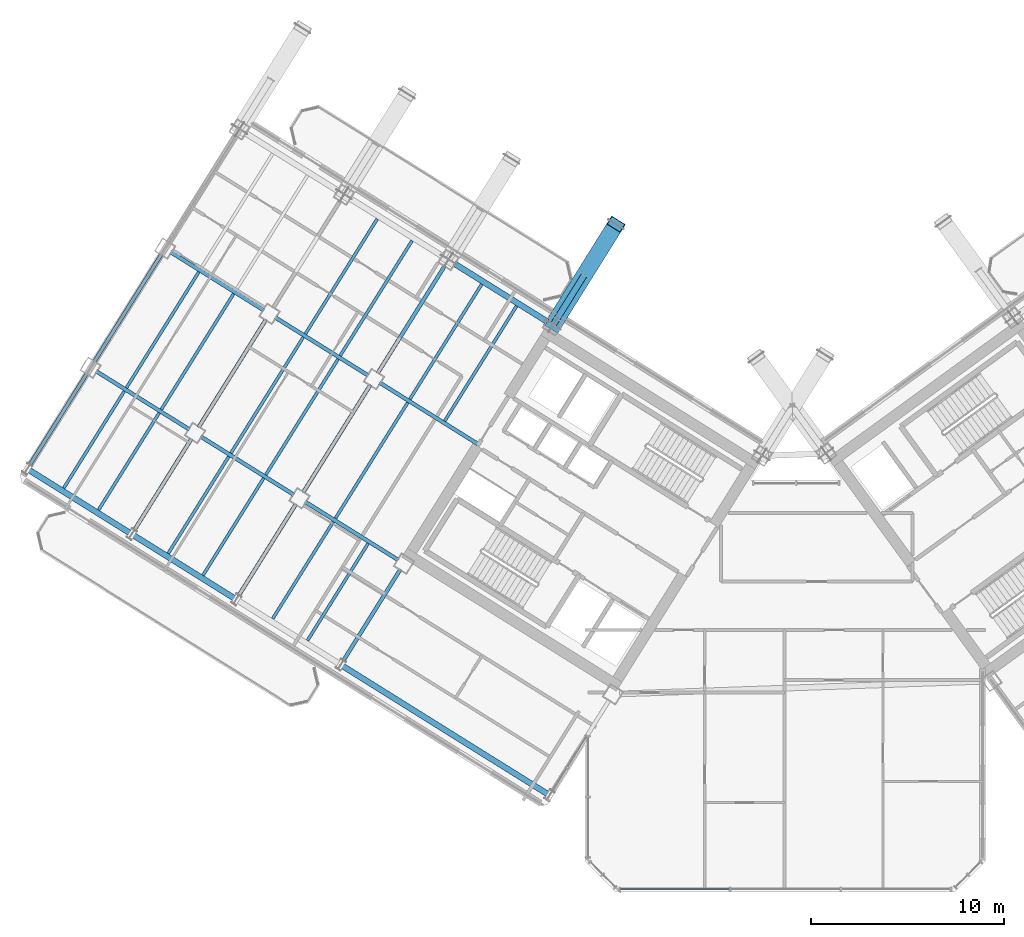
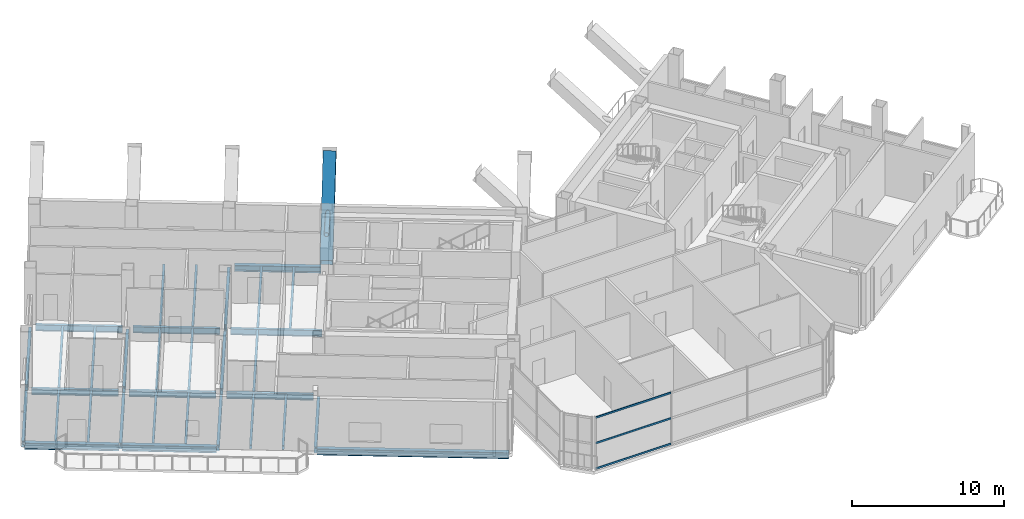
# One storey, part 7 of 34: 33 beams, 5 members, 1 element without a shape of its own.
"""IFC4 building model written with IfcOpenShell, lengths in metres."""

from ifc_helpers import new_model, si_unit, direction, frame, origin, origin_2d, place, context, subcontext, project, spatial, hollow_rectangle, hollow_circle, i_section, extrude, source, transform, mapped, material, material_profile, profile_set, type_object, element, aggregate, save


model = new_model("IFC4")

# Units and contexts
model_context = context("Model", 3, precision=1e-05, world=origin(), true_north=direction((0.0, 1.0)))
body_context = subcontext(model_context, "Body", "Model", "MODEL_VIEW")
ifc_project = project(units=[si_unit("LENGTHUNIT", "METRE"), si_unit("AREAUNIT", "SQUARE_METRE"), si_unit("VOLUMEUNIT", "CUBIC_METRE"), si_unit("PLANEANGLEUNIT", "RADIAN"), si_unit("MASSUNIT", "GRAM", prefix="KILO")], contexts=[model_context])

# Site, building, storey
site_placement = place(None, origin())
site = spatial("IfcSite", under=ifc_project, at=site_placement, CompositionType="ELEMENT")
building_placement = place(site_placement, origin())
building = spatial("IfcBuilding", under=site, at=building_placement, Name="Tlacorven Tower", CompositionType="ELEMENT")
storey_placement = place(building_placement, frame((0.0, 0.0, 174.89990234375)))
storey = spatial("IfcBuildingStorey", under=building, at=storey_placement, Name="L44", CompositionType="ELEMENT", Elevation=174.89990234375)

# Beams
ifc_material_1 = material(Name="Steel S355J2", Category="steel")
ifc_material_profile_1 = material_profile(ifc_material_1, i_section(OverallWidth=0.300048828125, OverallDepth=0.489990234375, WebThickness=0.011962890625, FlangeThickness=0.02294921875, at=origin_2d()), Name="HEA 500")
ifc_profile_set_1 = profile_set([ifc_material_profile_1], Name="Steel S355J2")
beam_type_1 = type_object("IfcBeamType", Name="BM-SPN-500", PredefinedType="SPANDREL", material=ifc_profile_set_1)
shared_shape_1 = source(origin(), body_context, "Body", "SweptSolid", [
    extrude(i_section(OverallWidth=0.300048828125, OverallDepth=0.489990234375, WebThickness=0.011962890625, FlangeThickness=0.02294921875, at=origin_2d()), origin(), (0.0, 0.0, 1.0), 12.599853515625),
])
beam_1_placement = place(storey_placement, frame((29.67578125, 6.882080078125, -0.494873046875), z_axis=(-0.848045108756, 0.529924045043, 0.0), x_axis=(-0.529924045043, -0.848045108756, 0.0)))
element("IfcBeam", 1, at=beam_1_placement, inside=storey, type_object=beam_type_1, Name="L44 beam BM-L44-WL4-1", PredefinedType="SPANDREL", context=body_context, shape_type="MappedRepresentation", body=[
    mapped(shared_shape_1, transform((0.0, 0.0, 0.0), scale=1.0)),
])
shared_shape_2 = source(origin(), body_context, "Body", "SweptSolid", [
    extrude(i_section(OverallWidth=0.300048828125, OverallDepth=0.489990234375, WebThickness=0.011962890625, FlangeThickness=0.02294921875, at=origin_2d()), origin(), (0.0, 0.0, 1.0), 6.199951171875),
])
for number, where, z_axis, x_axis, name in (
    (2, (13.393310546875, 17.056396484375, -0.494873046875), (-0.848033697614, 0.529942306022, 0.0), (-0.529942306022, -0.848033697614, 0.0), "L44 beam BM-L44-WL4-4"),
    (3, (7.9658203125, 20.447998046875, -0.494873046875), (-0.848051394107, 0.529913986372, 0.0), (-0.529913986372, -0.848051394107, 0.0), "L44 beam BM-L44-WL4-5"),
):
    element("IfcBeam", number, at=place(storey_placement, frame(where, z_axis=z_axis, x_axis=x_axis)), inside=storey, type_object=beam_type_1, Name=name, PredefinedType="SPANDREL", context=body_context, shape_type="MappedRepresentation", body=[
        mapped(shared_shape_2, transform((0.0, 0.0, 0.0), scale=1.0)),
    ])

# Members
ifc_material_2 = material(Name="Steel S460M", Category="steel")
ifc_material_profile_2 = material_profile(ifc_material_2, hollow_circle(Radius=0.161865234375, WallThickness=0.01611328125, at=origin_2d()), Name="CHS 323.9X16")
ifc_profile_set_2 = profile_set([ifc_material_profile_2], Name="Steel S460M")
member_type_1 = type_object("IfcMemberType", Name="MB-SHF-BRC", PredefinedType="BRACE", material=ifc_profile_set_2)
shared_shape_3 = source(origin(), body_context, "Body", "SweptSolid", [
    extrude(hollow_circle(Radius=0.161865234375, WallThickness=0.01611328125, at=origin_2d()), origin(), (0.0, 0.0, 1.0), 3.06005859375),
])
member_1_placement = place(storey_placement, frame((29.9384765625, 31.268310546875, 2.25), z_axis=(0.529934393004, 0.848038642463, 0.0), x_axis=(-0.848038642463, 0.529934393004, 0.0)))
element("IfcMember", 4, at=member_1_placement, inside=storey, type_object=member_type_1, Name="L44 Raking Strut Stabilising Web Brace W3", PredefinedType="BRACE", context=body_context, shape_type="MappedRepresentation", body=[
    mapped(shared_shape_3, transform((0.0, 0.0, 0.0), scale=1.0)),
])
ifc_material_profile_3 = material_profile(ifc_material_2, hollow_rectangle(XDim=0.85009765625, YDim=0.85009765625, WallThickness=0.0400390625, at=origin_2d()), Name="BOX 850X850X40")
ifc_profile_set_3 = profile_set([ifc_material_profile_3], Name="Steel S460M")
member_type_2 = type_object("IfcMemberType", Name="MB-RAK-EXT", PredefinedType="STRUT", material=ifc_profile_set_3)
shared_shape_4 = source(origin(), body_context, "Body", "SweptSolid", [
    extrude(hollow_rectangle(XDim=0.85009765625, YDim=0.85009765625, WallThickness=0.0400390625, at=origin_2d()), origin(), (0.0, 0.0, 1.0), 7.620849609375),
])
member_2_placement = place(storey_placement, frame((29.9365234375, 31.26513671875, 0.011962890625), z_axis=(0.428865308468, 0.686338266125, 0.587379206003), x_axis=(-0.848051671646, 0.529913542211, 0.0)))
element("IfcMember", 5, at=member_2_placement, inside=storey, type_object=member_type_2, Name="L44 Block-Shift Raking Transfer Strut W3", PredefinedType="STRUT", context=body_context, shape_type="MappedRepresentation", body=[
    mapped(shared_shape_4, transform((0.0, 0.0, 0.0), scale=1.0)),
])

# Beams
shared_shape_5 = source(origin(), body_context, "Body", "SweptSolid", [
    extrude(i_section(OverallWidth=0.300048828125, OverallDepth=0.489990234375, WebThickness=0.011962890625, FlangeThickness=0.02294921875, at=origin_2d()), origin(), (0.0, 0.0, 1.0), 5.699951171875),
])
beam_2_placement = place(storey_placement, frame((29.631103515625, 31.436767578125, -0.494873046875), z_axis=(-0.848044021115, 0.529925785607, 0.0), x_axis=(-0.529925785607, -0.848044021115, 0.0)))
element("IfcBeam", 6, at=beam_2_placement, inside=storey, type_object=beam_type_1, Name="L44 beam BM-L44-WL1-3", PredefinedType="SPANDREL", context=body_context, shape_type="MappedRepresentation", body=[
    mapped(shared_shape_5, transform((0.0, 0.0, 0.0), scale=1.0)),
])
ifc_material_profile_4 = material_profile(ifc_material_1, i_section(OverallWidth=0.199951171875, OverallDepth=0.5, WebThickness=0.01025390625, FlangeThickness=0.01611328125, at=origin_2d()), Name="IPE 500")
ifc_profile_set_4 = profile_set([ifc_material_profile_4], Name="Steel S355J2")
beam_type_2 = type_object("IfcBeamType", Name="BM-TWR-500", PredefinedType="BEAM", material=ifc_profile_set_4)
shared_shape_6 = source(origin(), body_context, "Body", "SweptSolid", [
    extrude(i_section(OverallWidth=0.199951171875, OverallDepth=0.5, WebThickness=0.01025390625, FlangeThickness=0.01611328125, at=origin_2d()), origin(), (0.0, 0.0, 1.0), 6.010009765625),
])
beam_3_placement = place(storey_placement, frame((26.025634765625, 25.081787109375, -0.5), z_axis=(-0.848043944584, 0.529925908081, 0.0), x_axis=(-0.529925908081, -0.848043944584, 0.0)))
element("IfcBeam", 7, at=beam_3_placement, inside=storey, type_object=beam_type_2, Name="L44 beam BM-L44-WL2-3", PredefinedType="BEAM", context=body_context, shape_type="MappedRepresentation", body=[
    mapped(shared_shape_6, transform((0.0, 0.0, 0.0), scale=1.0)),
])
shared_shape_7 = source(origin(), body_context, "Body", "SweptSolid", [
    extrude(i_section(OverallWidth=0.199951171875, OverallDepth=0.5, WebThickness=0.01025390625, FlangeThickness=0.01611328125, at=origin_2d()), origin(), (0.0, 0.0, 1.0), 5.7001953125),
])
for number, where, z_axis, x_axis, name in (
    (8, (20.335205078125, 28.637451171875, -0.5), (-0.848036800771, 0.529937340199, 0.0), (-0.529937340199, -0.848036800771, 0.0), "L44 beam BM-L44-WL2-4"),
    (9, (14.90771484375, 32.029052734375, -0.5), (-0.848056048787, 0.529906537151, 0.0), (-0.529906537151, -0.848056048787, 0.0), "L44 beam BM-L44-WL2-5"),
    (10, (16.466796875, 22.44677734375, -0.5), (-0.848056048787, 0.529906537151, 0.0), (-0.529906537151, -0.848056048787, 0.0), "L44 beam BM-L44-WL3-4"),
    (11, (11.039306640625, 25.83837890625, -0.5), (-0.848056048787, 0.529906537151, 0.0), (-0.529906537151, -0.848056048787, 0.0), "L44 beam BM-L44-WL3-5"),
):
    element("IfcBeam", number, at=place(storey_placement, frame(where, z_axis=z_axis, x_axis=x_axis)), inside=storey, type_object=beam_type_2, Name=name, PredefinedType="BEAM", context=body_context, shape_type="MappedRepresentation", body=[
        mapped(shared_shape_7, transform((0.0, 0.0, 0.0), scale=1.0)),
    ])
shared_shape_8 = source(origin(), body_context, "Body", "SweptSolid", [
    extrude(i_section(OverallWidth=0.199951171875, OverallDepth=0.5, WebThickness=0.01025390625, FlangeThickness=0.01611328125, at=origin_2d()), origin(), (0.0, 0.0, 1.0), 5.699951171875),
])
beam_4_placement = place(storey_placement, frame((21.894287109375, 19.055419921875, -0.5), z_axis=(-0.848044021115, 0.529925785607, 0.0), x_axis=(-0.529925785607, -0.848044021115, 0.0)))
element("IfcBeam", 12, at=beam_4_placement, inside=storey, type_object=beam_type_2, Name="L44 beam BM-L44-WL3-3", PredefinedType="BEAM", context=body_context, shape_type="MappedRepresentation", body=[
    mapped(shared_shape_8, transform((0.0, 0.0, 0.0), scale=1.0)),
])
shared_shape_9 = source(origin(), body_context, "Body", "SweptSolid", [
    extrude(i_section(OverallWidth=0.199951171875, OverallDepth=0.5, WebThickness=0.01025390625, FlangeThickness=0.01611328125, at=origin_2d()), origin(), (0.0, 0.0, 1.0), 5.75),
])
for number, where, z_axis, x_axis, name in (
    (13, (22.005615234375, 18.572998046875, -0.5), (-0.529934056882, -0.848038852504, 0.0), (0.848038852504, -0.529934056882, 0.0), "L44 beam BM-L44-WT3-2"),
    (14, (11.150634765625, 25.35595703125, -0.5), (-0.529934056882, -0.848038852504, 0.0), (0.848038852504, -0.529934056882, 0.0), "L44 beam BM-L44-WT5-3"),
):
    element("IfcBeam", number, at=place(storey_placement, frame(where, z_axis=z_axis, x_axis=x_axis)), inside=storey, type_object=beam_type_2, Name=name, PredefinedType="BEAM", context=body_context, shape_type="MappedRepresentation", body=[
        mapped(shared_shape_9, transform((0.0, 0.0, 0.0), scale=1.0)),
    ])
shared_shape_10 = source(origin(), body_context, "Body", "SweptSolid", [
    extrude(i_section(OverallWidth=0.199951171875, OverallDepth=0.5, WebThickness=0.01025390625, FlangeThickness=0.01611328125, at=origin_2d()), origin(), (0.0, 0.0, 1.0), 6.599853515625),
])
beam_5_placement = place(storey_placement, frame((24.31494140625, 34.345947265625, -0.5), z_axis=(-0.529942412256, -0.848033631227, 0.0), x_axis=(0.848033631227, -0.529942412256, 0.0)))
element("IfcBeam", 15, at=beam_5_placement, inside=storey, type_object=beam_type_2, Name="L44 beam BM-L44-WT4-1", PredefinedType="BEAM", context=body_context, shape_type="MappedRepresentation", body=[
    mapped(shared_shape_10, transform((0.0, 0.0, 0.0), scale=1.0)),
])
shared_shape_11 = source(origin(), body_context, "Body", "SweptSolid", [
    extrude(i_section(OverallWidth=0.199951171875, OverallDepth=0.5, WebThickness=0.01025390625, FlangeThickness=0.01611328125, at=origin_2d()), origin(), (0.0, 0.0, 1.0), 6.60009765625),
])
for number, where, z_axis, x_axis, name in (
    (16, (20.446533203125, 28.1552734375, -0.5), (-0.529925788294, -0.848044019436, 0.0), (0.848044019436, -0.529925788294, 0.0), "L44 beam BM-L44-WT4-2"),
    (17, (15.01904296875, 31.546875, -0.5), (-0.529925788294, -0.848044019436, 0.0), (0.848044019436, -0.529925788294, 0.0), "L44 beam BM-L44-WT5-2"),
    (18, (9.591552734375, 34.938232421875, -0.5), (-0.529925788294, -0.848044019436, 0.0), (0.848044019436, -0.529925788294, 0.0), "L44 beam BM-L44-WT6-2"),
):
    element("IfcBeam", number, at=place(storey_placement, frame(where, z_axis=z_axis, x_axis=x_axis)), inside=storey, type_object=beam_type_2, Name=name, PredefinedType="BEAM", context=body_context, shape_type="MappedRepresentation", body=[
        mapped(shared_shape_11, transform((0.0, 0.0, 0.0), scale=1.0)),
    ])
shared_shape_12 = source(origin(), body_context, "Body", "SweptSolid", [
    extrude(i_section(OverallWidth=0.199951171875, OverallDepth=0.5, WebThickness=0.01025390625, FlangeThickness=0.01611328125, at=origin_2d()), origin(), (0.0, 0.0, 1.0), 5.750244140625),
])
for number, where, z_axis, x_axis, name in (
    (19, (16.578125, 21.964599609375, -0.5), (-0.529914976044, -0.848050775699, 0.0), (0.848050775699, -0.529914976044, 0.0), "L44 beam BM-L44-WT4-3"),
    (20, (5.72314453125, 28.74755859375, -0.5), (-0.529914976044, -0.848050775699, 0.0), (0.848050775699, -0.529914976044, 0.0), "L44 beam BM-L44-WT6-3"),
):
    element("IfcBeam", number, at=place(storey_placement, frame(where, z_axis=z_axis, x_axis=x_axis)), inside=storey, type_object=beam_type_2, Name=name, PredefinedType="BEAM", context=body_context, shape_type="MappedRepresentation", body=[
        mapped(shared_shape_12, transform((0.0, 0.0, 0.0), scale=1.0)),
    ])
ifc_material_profile_5 = material_profile(ifc_material_1, i_section(OverallWidth=0.159912109375, OverallDepth=0.330078125, WebThickness=0.007568359375, FlangeThickness=0.011474609375, at=origin_2d()), Name="IPE 330")
ifc_profile_set_5 = profile_set([ifc_material_profile_5], Name="Steel S355J2")
beam_type_3 = type_object("IfcBeamType", Name="BM-JST-330", PredefinedType="JOIST", material=ifc_profile_set_5)
shared_shape_13 = source(origin(), body_context, "Body", "SweptSolid", [
    extrude(i_section(OverallWidth=0.159912109375, OverallDepth=0.330078125, WebThickness=0.007568359375, FlangeThickness=0.011474609375, at=origin_2d()), origin(), (0.0, 0.0, 1.0), 7.0400390625),
])
for number, where, z_axis, x_axis, name in (
    (21, (28.03662109375, 32.25048828125, -0.414794921875), (-0.529889834233, -0.848066485351, 0.0), (0.848066485351, -0.529889834233, 0.0), "L44 beam BM-L44-WJ3-1-1"),
    (22, (26.2275390625, 33.380859375, -0.414794921875), (-0.529930359501, -0.848041162963, 0.0), (0.848041162963, -0.529930359501, 0.0), "L44 beam BM-L44-WJ3-1-2"),
    (23, (22.609130859375, 35.641845703125, -0.414794921875), (-0.529930359501, -0.848041162963, 0.0), (0.848041162963, -0.529930359501, 0.0), "L44 beam BM-L44-WJ4-1-1"),
    (24, (20.800048828125, 36.7724609375, -0.414794921875), (-0.529930359501, -0.848041162963, 0.0), (0.848041162963, -0.529930359501, 0.0), "L44 beam BM-L44-WJ4-1-2"),
):
    element("IfcBeam", number, at=place(storey_placement, frame(where, z_axis=z_axis, x_axis=x_axis)), inside=storey, type_object=beam_type_3, Name=name, PredefinedType="JOIST", context=body_context, shape_type="MappedRepresentation", body=[
        mapped(shared_shape_13, transform((0.0, 0.0, 0.0), scale=1.0)),
    ])
shared_shape_14 = source(origin(), body_context, "Body", "SweptSolid", [
    extrude(i_section(OverallWidth=0.159912109375, OverallDepth=0.330078125, WebThickness=0.007568359375, FlangeThickness=0.011474609375, at=origin_2d()), origin(), (0.0, 0.0, 1.0), 5.940185546875),
])
for number, where, z_axis, x_axis, name in (
    (25, (20.326416015625, 19.911376953125, -0.414794921875), (-0.529902882565, -0.848058332339, 0.0), (0.848058332339, -0.529902882565, 0.0), "L44 beam BM-L44-WJ3-3-1"),
    (26, (9.471435546875, 26.6943359375, -0.414794921875), (-0.529932440872, -0.848039862336, 0.0), (0.848039862336, -0.529932440872, 0.0), "L44 beam BM-L44-WJ5-3-1"),
):
    element("IfcBeam", number, at=place(storey_placement, frame(where, z_axis=z_axis, x_axis=x_axis)), inside=storey, type_object=beam_type_3, Name=name, PredefinedType="JOIST", context=body_context, shape_type="MappedRepresentation", body=[
        mapped(shared_shape_14, transform((0.0, 0.0, 0.0), scale=1.0)),
    ])
shared_shape_15 = source(origin(), body_context, "Body", "SweptSolid", [
    extrude(i_section(OverallWidth=0.159912109375, OverallDepth=0.330078125, WebThickness=0.007568359375, FlangeThickness=0.011474609375, at=origin_2d()), origin(), (0.0, 0.0, 1.0), 7.090087890625),
])
for number, where, z_axis, x_axis, name in (
    (27, (22.385498046875, 27.232666015625, -0.414794921875), (-0.529912270669, -0.84805246618, 0.0), (0.84805246618, -0.529912270669, 0.0), "L44 beam BM-L44-WJ3-2-2"),
    (28, (16.9580078125, 30.6240234375, -0.414794921875), (-0.529912270669, -0.84805246618, 0.0), (0.84805246618, -0.529912270669, 0.0), "L44 beam BM-L44-WJ4-2-2"),
    (29, (13.33984375, 32.885009765625, -0.414794921875), (-0.529937035031, -0.848036991471, 0.0), (0.848036991471, -0.529937035031, 0.0), "L44 beam BM-L44-WJ5-2-1"),
    (30, (11.530517578125, 34.015625, -0.414794921875), (-0.529912270669, -0.84805246618, 0.0), (0.84805246618, -0.529912270669, 0.0), "L44 beam BM-L44-WJ5-2-2"),
):
    element("IfcBeam", number, at=place(storey_placement, frame(where, z_axis=z_axis, x_axis=x_axis)), inside=storey, type_object=beam_type_3, Name=name, PredefinedType="JOIST", context=body_context, shape_type="MappedRepresentation", body=[
        mapped(shared_shape_15, transform((0.0, 0.0, 0.0), scale=1.0)),
    ])
shared_shape_16 = source(origin(), body_context, "Body", "SweptSolid", [
    extrude(i_section(OverallWidth=0.159912109375, OverallDepth=0.330078125, WebThickness=0.007568359375, FlangeThickness=0.011474609375, at=origin_2d()), origin(), (0.0, 0.0, 1.0), 5.93994140625),
])
for number, where, z_axis, x_axis, name in (
    (31, (18.51708984375, 21.041748046875, -0.414794921875), (-0.529921352973, -0.848046790963, 0.0), (0.848046790963, -0.529921352973, 0.0), "L44 beam BM-L44-WJ3-3-2"),
    (32, (14.89892578125, 23.302734375, -0.414794921875), (-0.529921352973, -0.848046790963, 0.0), (0.848046790963, -0.529921352973, 0.0), "L44 beam BM-L44-WJ4-3-1"),
    (33, (13.089599609375, 24.433349609375, -0.414794921875), (-0.529921352973, -0.848046790963, 0.0), (0.848046790963, -0.529921352973, 0.0), "L44 beam BM-L44-WJ4-3-2"),
    (34, (7.662109375, 27.82470703125, -0.414794921875), (-0.529921352973, -0.848046790963, 0.0), (0.848046790963, -0.529921352973, 0.0), "L44 beam BM-L44-WJ5-3-2"),
):
    element("IfcBeam", number, at=place(storey_placement, frame(where, z_axis=z_axis, x_axis=x_axis)), inside=storey, type_object=beam_type_3, Name=name, PredefinedType="JOIST", context=body_context, shape_type="MappedRepresentation", body=[
        mapped(shared_shape_16, transform((0.0, 0.0, 0.0), scale=1.0)),
    ])
shared_shape_17 = source(origin(), body_context, "Body", "SweptSolid", [
    extrude(i_section(OverallWidth=0.159912109375, OverallDepth=0.330078125, WebThickness=0.007568359375, FlangeThickness=0.011474609375, at=origin_2d()), origin(), (0.0, 0.0, 1.0), 7.08984375),
])
beam_6_placement = place(storey_placement, frame((18.767333984375, 29.493408203125, -0.414794921875), z_axis=(-0.529952510183, -0.848027320875, 0.0), x_axis=(0.848027320875, -0.529952510183, 0.0)))
element("IfcBeam", 35, at=beam_6_placement, inside=storey, type_object=beam_type_3, Name="L44 beam BM-L44-WJ4-2-1", PredefinedType="JOIST", context=body_context, shape_type="MappedRepresentation", body=[
    mapped(shared_shape_17, transform((0.0, 0.0, 0.0), scale=1.0)),
])

# Curtain wall, members
ifc_material_3 = material(Name="Dark solar low-E double glazing in aluminium frame", Category="aluminium")
curtain_wall_type = type_object("IfcCurtainWallType", Name="CW-TWR-MID", PredefinedType="USERDEFINED", material=ifc_material_3)
curtain_wall_placement = place(storey_placement, origin())
curtain_wall = element("IfcCurtainWall", 36, at=curtain_wall_placement, inside=storey, type_object=curtain_wall_type, Name="L44 CW-TWR-MID Curtain Wall 203", ObjectType="UNITISED CURTAIN WALL", PredefinedType="USERDEFINED")
ifc_material_4 = material(Name="Aluminium 6063-T6 anodised", Category="aluminium")
ifc_material_profile_6 = material_profile(ifc_material_4, hollow_rectangle(XDim=0.06005859375, YDim=0.139892578125, WallThickness=0.00390625, at=origin_2d()), Name="ALU TRANSOM 60X140")
ifc_profile_set_6 = profile_set([ifc_material_profile_6], Name="Aluminium 6063-T6 anodised")
member_type_3 = type_object("IfcMemberType", Name="CWT-02", PredefinedType="USERDEFINED", material=ifc_profile_set_6)
shared_shape_18 = source(origin(), body_context, "Body", "SweptSolid", [
    extrude(hollow_rectangle(XDim=0.06005859375, YDim=0.139892578125, WallThickness=0.00390625, at=origin_2d()), origin(), (0.0, 0.0, 1.0), 5.682373046875),
])
member_3_placement = place(storey_placement, frame((39.1015625, 1.9599609375, 0.070068359375), z_axis=(-1.0, 0.0, 0.0), x_axis=(0.0, -1.0, 0.0)))
member_3 = element("IfcMember", 37, at=member_3_placement, type_object=member_type_3, Name="CW-L44-203 Transom 7", ObjectType="TRANSOM", PredefinedType="USERDEFINED", context=body_context, shape_type="MappedRepresentation", body=[
    mapped(shared_shape_18, transform((0.0, 0.0, 0.0), scale=1.0)),
])
member_4_placement = place(storey_placement, frame((39.1015625, 1.9599609375, 2.110107421875), z_axis=(-1.0, 0.0, 0.0), x_axis=(0.0, -1.0, 0.0)))
member_4 = element("IfcMember", 38, at=member_4_placement, type_object=member_type_3, Name="CW-L44-203 Transom 8", ObjectType="TRANSOM", PredefinedType="USERDEFINED", context=body_context, shape_type="MappedRepresentation", body=[
    mapped(shared_shape_18, transform((0.0, 0.0, 0.0), scale=1.0)),
])
member_5_placement = place(storey_placement, frame((39.1015625, 1.9599609375, 4.150146484375), z_axis=(-1.0, 0.0, 0.0), x_axis=(0.0, -1.0, 0.0)))
member_5 = element("IfcMember", 39, at=member_5_placement, type_object=member_type_3, Name="CW-L44-203 Transom 9", ObjectType="TRANSOM", PredefinedType="USERDEFINED", context=body_context, shape_type="MappedRepresentation", body=[
    mapped(shared_shape_18, transform((0.0, 0.0, 0.0), scale=1.0)),
])
aggregate(curtain_wall, [member_3, member_4, member_5])

save(model, "model.ifc")
